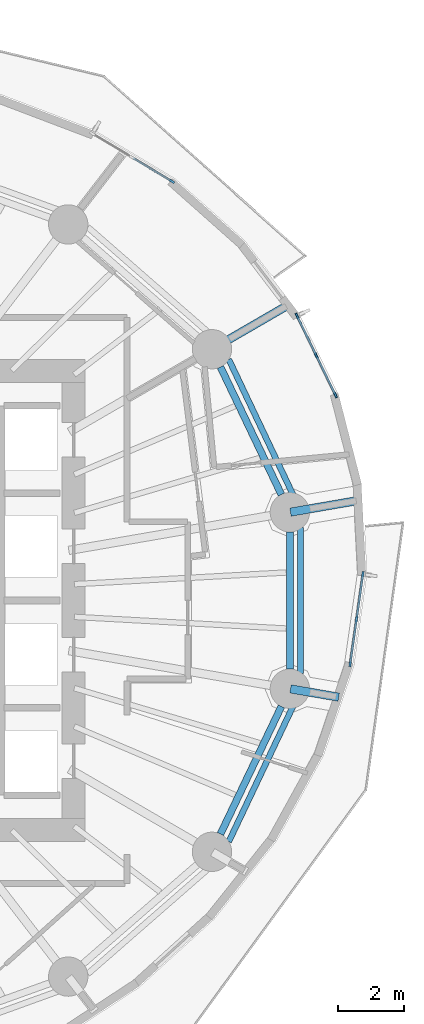
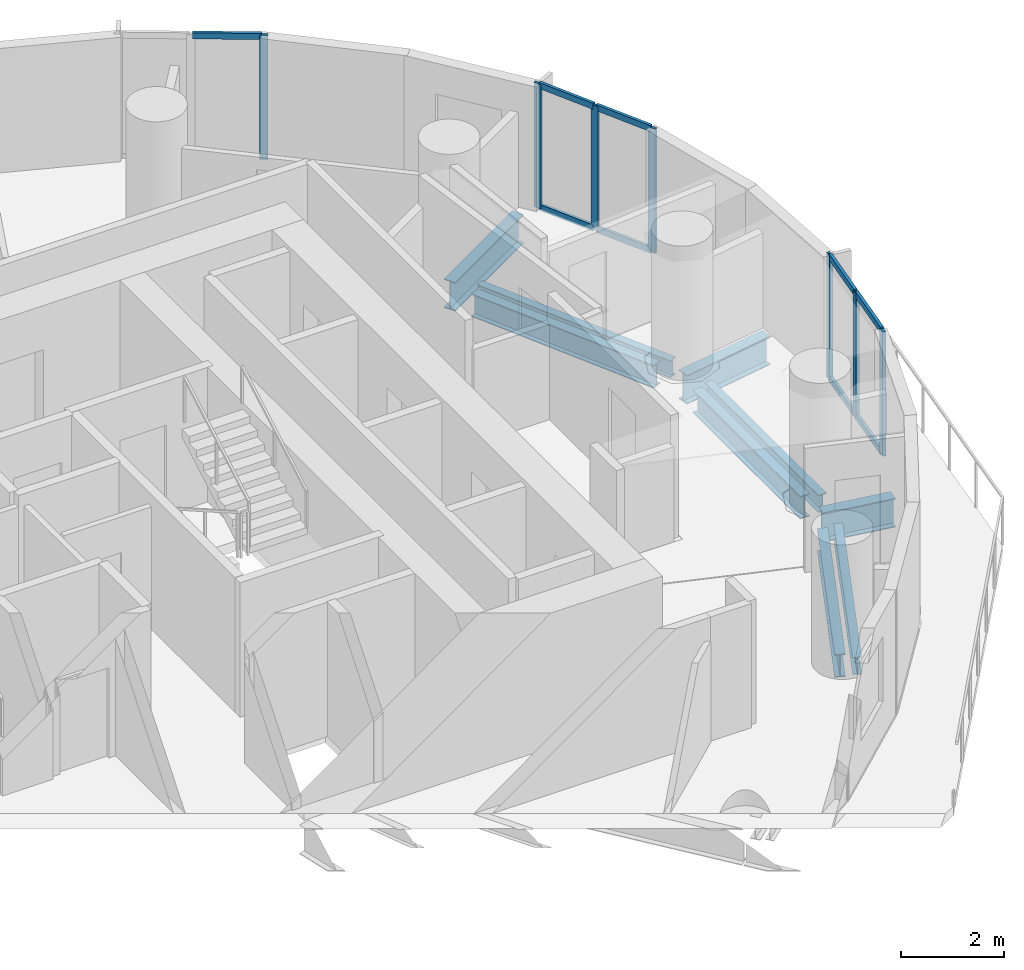
# One storey, part 5 of 14: 16 members, 9 beams, 3 elements without a shape of their own.
"""IFC4 building model written with IfcOpenShell, lengths in metres."""

from ifc_helpers import new_model, si_unit, direction, frame, origin, origin_2d, place, context, subcontext, project, spatial, rectangle, i_section, extrude, material, material_profile, profile_set, type_object, element, aggregate, save


model = new_model("IFC4")

# Units and contexts
model_context = context("Model", 3, precision=1e-05, world=origin(), true_north=direction((0.0, 1.0)))
body_context = subcontext(model_context, "Body", "Model", "MODEL_VIEW")
ifc_project = project(units=[si_unit("LENGTHUNIT", "METRE"), si_unit("AREAUNIT", "SQUARE_METRE"), si_unit("VOLUMEUNIT", "CUBIC_METRE"), si_unit("PLANEANGLEUNIT", "RADIAN"), si_unit("MASSUNIT", "GRAM", prefix="KILO")], contexts=[model_context])

# Site, building, storey
site_placement = place(None, origin())
site = spatial("IfcSite", under=ifc_project, at=site_placement, CompositionType="ELEMENT")
building_placement = place(site_placement, origin())
building = spatial("IfcBuilding", under=site, at=building_placement, Name="Veldorim Arch Residences", CompositionType="ELEMENT")
storey_placement = place(building_placement, frame((0.0, 0.0, 90.080078125)))
storey = spatial("IfcBuildingStorey", under=building, at=storey_placement, Name="L26", CompositionType="ELEMENT", Elevation=90.080078125)

# Beams
ifc_material_1 = material(Name="Steel S355", Category="steel")
ifc_material_profile_1 = material_profile(ifc_material_1, i_section(OverallWidth=0.2119140625, OverallDepth=0.54443359375, WebThickness=0.0126953125, FlangeThickness=0.021240234375, at=origin_2d()), Name="UB533x210x122")
ifc_profile_set_1 = profile_set([ifc_material_profile_1], Name="Steel S355")
beam_type_1 = type_object("IfcBeamType", Name="Structural Steel Beam UB533x210x122", PredefinedType="BEAM", material=ifc_profile_set_1)
for number, where, z_axis, x_axis, name in (
    (1, (47.336181640625, 27.233642578125, -0.51220703125), (-0.430720154476, 0.902485539235, 0.0), (-0.902485539235, -0.430720154476, 0.0), "L26 perimeter ring tie beam 01"),
    (2, (45.478759765625, 16.87451171875, -0.51220703125), (0.430720154476, 0.902485539235, 0.0), (-0.902485539235, 0.430720154476, 0.0), "L26 perimeter ring tie beam 15"),
):
    element("IfcBeam", number, at=place(storey_placement, frame(where, z_axis=z_axis, x_axis=x_axis)), inside=storey, type_object=beam_type_1, Name=name, PredefinedType="BEAM", context=body_context, shape_type="SweptSolid", body=[
        extrude(i_section(OverallWidth=0.2119140625, OverallDepth=0.54443359375, WebThickness=0.0126953125, FlangeThickness=0.021240234375, at=origin_2d()), origin(), (0.0, 0.0, 1.0), 4.312255859375),
    ])
beam_1_placement = place(storey_placement, frame((47.594482421875, 21.90771484375, -0.51220703125), z_axis=(0.0, 1.0, 0.0), x_axis=(-1.0, 0.0, 0.0)))
element("IfcBeam", 3, at=beam_1_placement, inside=storey, type_object=beam_type_1, Name="L26 perimeter ring tie beam 16", PredefinedType="BEAM", context=body_context, shape_type="SweptSolid", body=[
    extrude(i_section(OverallWidth=0.2119140625, OverallDepth=0.54443359375, WebThickness=0.0126953125, FlangeThickness=0.021240234375, at=origin_2d()), origin(), (0.0, 0.0, 1.0), 4.1845703125),
])
ifc_material_2 = material(Name="Steel S355", Category="steel")
ifc_material_profile_2 = material_profile(ifc_material_2, i_section(OverallWidth=0.25439453125, OverallDepth=0.6875, WebThickness=0.01318359375, FlangeThickness=0.02099609375, at=origin_2d()), Name="UB686x254x152")
ifc_profile_set_2 = profile_set([ifc_material_profile_2], Name="Steel S355")
beam_type_2 = type_object("IfcBeamType", Name="Structural Steel GIRDER UB686x254x152", PredefinedType="USERDEFINED", material=ifc_profile_set_2)
beam_2_placement = place(storey_placement, frame((47.6142578125, 26.695556640625, -0.583740234375), z_axis=(0.985423467948, 0.170119336988, 0.0), x_axis=(-0.170119336988, 0.985423467948, 0.0)))
element("IfcBeam", 4, at=beam_2_placement, inside=storey, type_object=beam_type_2, Name="L26 radial edge cantilever girder 01", ObjectType="GIRDER", PredefinedType="USERDEFINED", context=body_context, shape_type="SweptSolid", body=[
    extrude(i_section(OverallWidth=0.25439453125, OverallDepth=0.6875, WebThickness=0.01318359375, FlangeThickness=0.02099609375, at=origin_2d()), origin(), (0.0, 0.0, 1.0), 2.11669921875),
])
beam_3_placement = place(storey_placement, frame((45.23779296875, 31.677001953125, -0.583740234375), z_axis=(0.865063665573, 0.501662091956, 0.0), x_axis=(-0.501662091956, 0.865063665573, 0.0)))
element("IfcBeam", 5, at=beam_3_placement, inside=storey, type_object=beam_type_2, Name="L26 radial edge cantilever girder 02", ObjectType="GIRDER", PredefinedType="USERDEFINED", context=body_context, shape_type="SweptSolid", body=[
    extrude(i_section(OverallWidth=0.25439453125, OverallDepth=0.6875, WebThickness=0.01318359375, FlangeThickness=0.02099609375, at=origin_2d()), origin(), (0.0, 0.0, 1.0), 2.67529296875),
])
beam_4_placement = place(storey_placement, frame((47.6142578125, 21.304443359375, -0.583740234375), z_axis=(0.985432749293, -0.170065565652, 0.0), x_axis=(0.170065565652, 0.985432749293, 0.0)))
element("IfcBeam", 6, at=beam_4_placement, inside=storey, type_object=beam_type_2, Name="L26 radial edge cantilever girder 16", ObjectType="GIRDER", PredefinedType="USERDEFINED", context=body_context, shape_type="SweptSolid", body=[
    extrude(i_section(OverallWidth=0.25439453125, OverallDepth=0.6875, WebThickness=0.01318359375, FlangeThickness=0.02099609375, at=origin_2d()), origin(), (0.0, 0.0, 1.0), 1.494384765625),
])
ifc_material_3 = material(Name="Steel S355", Category="steel")
ifc_material_profile_3 = material_profile(ifc_material_3, i_section(OverallWidth=0.1787109375, OverallDepth=0.409423828125, WebThickness=0.0087890625, FlangeThickness=0.014404296875, at=origin_2d()), Name="UB406x178x67")
ifc_profile_set_3 = profile_set([ifc_material_profile_3], Name="Steel S355")
beam_type_3 = type_object("IfcBeamType", Name="Structural Steel Spandrel UB406x178x67", PredefinedType="SPANDREL", material=ifc_profile_set_3)
for number, where, z_axis, x_axis, name in (
    (7, (47.693115234375, 27.225341796875, -0.46484375), (-0.428857472204, 0.903372165021, 0.0), (-0.903372165021, -0.428857472204, 0.0), "L26 perimeter chord spandrel beam 01"),
    (8, (45.732421875, 16.64453125, -0.46484375), (0.428857472204, 0.903372165021, 0.0), (-0.903372165021, 0.428857472204, 0.0), "L26 perimeter chord spandrel beam 15"),
):
    element("IfcBeam", number, at=place(storey_placement, frame(where, z_axis=z_axis, x_axis=x_axis)), inside=storey, type_object=beam_type_3, Name=name, PredefinedType="SPANDREL", context=body_context, shape_type="SweptSolid", body=[
        extrude(i_section(OverallWidth=0.1787109375, OverallDepth=0.409423828125, WebThickness=0.0087890625, FlangeThickness=0.014404296875, at=origin_2d()), origin(), (0.0, 0.0, 1.0), 4.572021484375),
    ])
beam_5_placement = place(storey_placement, frame((47.919677734375, 21.77978515625, -0.46484375), z_axis=(0.0, 1.0, 0.0), x_axis=(-1.0, 0.0, 0.0)))
element("IfcBeam", 9, at=beam_5_placement, inside=storey, type_object=beam_type_3, Name="L26 perimeter chord spandrel beam 16", PredefinedType="SPANDREL", context=body_context, shape_type="SweptSolid", body=[
    extrude(i_section(OverallWidth=0.1787109375, OverallDepth=0.409423828125, WebThickness=0.0087890625, FlangeThickness=0.014404296875, at=origin_2d()), origin(), (0.0, 0.0, 1.0), 4.4404296875),
])

# Curtain wall, members
ifc_material_4 = material(Name="Aluminium", Category="aluminium")
curtain_wall_type = type_object("IfcCurtainWallType", Name="Zone 2 Solar-Control Unitised Curtain Wall", PredefinedType="NOTDEFINED", material=ifc_material_4)
curtain_wall_1_placement = place(storey_placement, origin())
curtain_wall_1 = element("IfcCurtainWall", 10, at=curtain_wall_1_placement, inside=storey, type_object=curtain_wall_type, Name="L26 unitised curtain wall bay 01", PredefinedType="NOTDEFINED")
ifc_material_5 = material(Name="Aluminium", Category="aluminium")
ifc_material_profile_4 = material_profile(ifc_material_5, rectangle(XDim=0.06494140625, YDim=0.1650390625, at=origin_2d()), Name="ALU_MUL_65x165")
ifc_profile_set_4 = profile_set([ifc_material_profile_4], Name="Aluminium")
member_type_1 = type_object("IfcMemberType", Name="Zone 2 Solar-Control Unitised Curtain Wall Mullion 65x165", PredefinedType="MULLION", material=ifc_profile_set_4)
member_1_placement = place(storey_placement, frame((47.81298828125, 32.684326171875, 0.0), z_axis=(0.0, 0.0, 1.0), x_axis=(0.89943933332, 0.437045633403, 0.0)))
member_1 = element("IfcMember", 11, at=member_1_placement, type_object=member_type_1, Name="CW-Z2 mullion 1", PredefinedType="MULLION", context=body_context, shape_type="SweptSolid", body=[
    extrude(rectangle(XDim=0.06494140625, YDim=0.1650390625, at=origin_2d()), origin(), (0.0, 0.0, 1.0), 2.9599609375),
])
member_2_placement = place(storey_placement, frame((48.401611328125, 31.473388671875, 0.0), z_axis=(0.0, 0.0, 1.0), x_axis=(0.89943933332, 0.437045633403, 0.0)))
member_2 = element("IfcMember", 12, at=member_2_placement, type_object=member_type_1, Name="CW-Z2 mullion 2", PredefinedType="MULLION", context=body_context, shape_type="SweptSolid", body=[
    extrude(rectangle(XDim=0.06494140625, YDim=0.1650390625, at=origin_2d()), origin(), (0.0, 0.0, 1.0), 2.9599609375),
])
member_3_placement = place(storey_placement, frame((48.989990234375, 30.262451171875, 0.0), z_axis=(0.0, 0.0, 1.0), x_axis=(0.89943933332, 0.437045633403, 0.0)))
member_3 = element("IfcMember", 13, at=member_3_placement, type_object=member_type_1, Name="CW-Z2 mullion 3", PredefinedType="MULLION", context=body_context, shape_type="SweptSolid", body=[
    extrude(rectangle(XDim=0.06494140625, YDim=0.1650390625, at=origin_2d()), origin(), (0.0, 0.0, 1.0), 2.9599609375),
])

# Curtain wall, member
curtain_wall_2_placement = place(storey_placement, origin())
curtain_wall_2 = element("IfcCurtainWall", 14, at=curtain_wall_2_placement, inside=storey, type_object=curtain_wall_type, Name="L26 unitised curtain wall bay 04", PredefinedType="NOTDEFINED")
member_4_placement = place(storey_placement, frame((43.9990234375, 36.78759765625, 0.0), z_axis=(0.0, 0.0, 1.0), x_axis=(0.514313089023, 0.857602499098, 0.0)))
member_4 = element("IfcMember", 15, at=member_4_placement, type_object=member_type_1, Name="CW-Z2 mullion 3", PredefinedType="MULLION", context=body_context, shape_type="SweptSolid", body=[
    extrude(rectangle(XDim=0.06494140625, YDim=0.1650390625, at=origin_2d()), origin(), (0.0, 0.0, 1.0), 2.9599609375),
])

# Curtain wall, members
curtain_wall_3_placement = place(storey_placement, origin())
curtain_wall_3 = element("IfcCurtainWall", 16, at=curtain_wall_3_placement, inside=storey, type_object=curtain_wall_type, Name="L26 unitised curtain wall bay 34", PredefinedType="NOTDEFINED")
member_5_placement = place(storey_placement, frame((49.8232421875, 24.802001953125, 0.0), z_axis=(0.0, 0.0, 1.0), x_axis=(0.990070536302, -0.140571452105, 0.0)))
member_5 = element("IfcMember", 17, at=member_5_placement, type_object=member_type_1, Name="CW-Z2 mullion 1", PredefinedType="MULLION", context=body_context, shape_type="SweptSolid", body=[
    extrude(rectangle(XDim=0.06494140625, YDim=0.1650390625, at=origin_2d()), origin(), (0.0, 0.0, 1.0), 2.9599609375),
])
member_6_placement = place(storey_placement, frame((49.628662109375, 23.431396484375, 0.0), z_axis=(0.0, 0.0, 1.0), x_axis=(0.990070536302, -0.140571452105, 0.0)))
member_6 = element("IfcMember", 18, at=member_6_placement, type_object=member_type_1, Name="CW-Z2 mullion 2", PredefinedType="MULLION", context=body_context, shape_type="SweptSolid", body=[
    extrude(rectangle(XDim=0.06494140625, YDim=0.1650390625, at=origin_2d()), origin(), (0.0, 0.0, 1.0), 2.9599609375),
])
member_7_placement = place(storey_placement, frame((49.43408203125, 22.06103515625, 0.0), z_axis=(0.0, 0.0, 1.0), x_axis=(0.990070536302, -0.140571452105, 0.0)))
member_7 = element("IfcMember", 19, at=member_7_placement, type_object=member_type_1, Name="CW-Z2 mullion 3", PredefinedType="MULLION", context=body_context, shape_type="SweptSolid", body=[
    extrude(rectangle(XDim=0.06494140625, YDim=0.1650390625, at=origin_2d()), origin(), (0.0, 0.0, 1.0), 2.9599609375),
])

# Member
ifc_material_6 = material(Name="Aluminium", Category="aluminium")
ifc_material_profile_5 = material_profile(ifc_material_6, rectangle(XDim=0.06494140625, YDim=0.14501953125, at=origin_2d()), Name="ALU_TRN_65x145")
ifc_profile_set_5 = profile_set([ifc_material_profile_5], Name="Aluminium")
member_type_2 = type_object("IfcMemberType", Name="Zone 2 Solar-Control Unitised Curtain Wall Transom 65x145", PredefinedType="USERDEFINED", material=ifc_profile_set_5)
member_8_placement = place(storey_placement, frame((47.827392578125, 32.655029296875, 0.032470703125), z_axis=(0.436970043232, -0.899476059335, 0.0), x_axis=(0.899476059335, 0.436970043232, 0.0)))
member_8 = element("IfcMember", 20, at=member_8_placement, type_object=member_type_2, Name="CW-Z2 transom 1.1", ObjectType="TRANSOM", PredefinedType="USERDEFINED", context=body_context, shape_type="SweptSolid", body=[
    extrude(rectangle(XDim=0.06494140625, YDim=0.14501953125, at=origin_2d()), origin(), (0.0, 0.0, 1.0), 1.281005859375),
])

member_9_placement = place(storey_placement, frame((47.827392578125, 32.655029296875, 2.927490234375), z_axis=(0.436970043232, -0.899476059335, 0.0), x_axis=(0.899476059335, 0.436970043232, 0.0)))
member_9 = element("IfcMember", 21, at=member_9_placement, type_object=member_type_2, Name="CW-Z2 transom 1.2", ObjectType="TRANSOM", PredefinedType="USERDEFINED", context=body_context, shape_type="SweptSolid", body=[
    extrude(rectangle(XDim=0.06494140625, YDim=0.14501953125, at=origin_2d()), origin(), (0.0, 0.0, 1.0), 1.281005859375),
])

member_10_placement = place(storey_placement, frame((48.415771484375, 31.444091796875, 0.032470703125), z_axis=(0.436970043232, -0.899476059335, 0.0), x_axis=(0.899476059335, 0.436970043232, 0.0)))
member_10 = element("IfcMember", 22, at=member_10_placement, type_object=member_type_2, Name="CW-Z2 transom 2.1", ObjectType="TRANSOM", PredefinedType="USERDEFINED", context=body_context, shape_type="SweptSolid", body=[
    extrude(rectangle(XDim=0.06494140625, YDim=0.14501953125, at=origin_2d()), origin(), (0.0, 0.0, 1.0), 1.281005859375),
])

member_11_placement = place(storey_placement, frame((48.415771484375, 31.444091796875, 2.927490234375), z_axis=(0.436970043232, -0.899476059335, 0.0), x_axis=(0.899476059335, 0.436970043232, 0.0)))
member_11 = element("IfcMember", 23, at=member_11_placement, type_object=member_type_2, Name="CW-Z2 transom 2.2", ObjectType="TRANSOM", PredefinedType="USERDEFINED", context=body_context, shape_type="SweptSolid", body=[
    extrude(rectangle(XDim=0.06494140625, YDim=0.14501953125, at=origin_2d()), origin(), (0.0, 0.0, 1.0), 1.281005859375),
])

aggregate(curtain_wall_1, [member_1, member_2, member_3, member_8, member_9, member_10, member_11])

member_12_placement = place(storey_placement, frame((42.81201171875, 37.49951171875, 2.927490234375), z_axis=(0.857636334709, -0.514256664894, 0.0), x_axis=(0.514256664894, 0.857636334709, 0.0)))
member_12 = element("IfcMember", 24, at=member_12_placement, type_object=member_type_2, Name="CW-Z2 transom 2.2", ObjectType="TRANSOM", PredefinedType="USERDEFINED", context=body_context, shape_type="SweptSolid", body=[
    extrude(rectangle(XDim=0.06494140625, YDim=0.14501953125, at=origin_2d()), origin(), (0.0, 0.0, 1.0), 1.3515625),
])

aggregate(curtain_wall_2, [member_4, member_12])

member_13_placement = place(storey_placement, frame((49.81884765625, 24.769775390625, 0.032470703125), z_axis=(-0.140644069109, -0.990060223332, 0.0), x_axis=(0.990060223332, -0.140644069109, 0.0)))
member_13 = element("IfcMember", 25, at=member_13_placement, type_object=member_type_2, Name="CW-Z2 transom 1.1", ObjectType="TRANSOM", PredefinedType="USERDEFINED", context=body_context, shape_type="SweptSolid", body=[
    extrude(rectangle(XDim=0.06494140625, YDim=0.14501953125, at=origin_2d()), origin(), (0.0, 0.0, 1.0), 1.3193359375),
])

member_14_placement = place(storey_placement, frame((49.81884765625, 24.769775390625, 2.927490234375), z_axis=(-0.140644069109, -0.990060223332, 0.0), x_axis=(0.990060223332, -0.140644069109, 0.0)))
member_14 = element("IfcMember", 26, at=member_14_placement, type_object=member_type_2, Name="CW-Z2 transom 1.2", ObjectType="TRANSOM", PredefinedType="USERDEFINED", context=body_context, shape_type="SweptSolid", body=[
    extrude(rectangle(XDim=0.06494140625, YDim=0.14501953125, at=origin_2d()), origin(), (0.0, 0.0, 1.0), 1.3193359375),
])

member_15_placement = place(storey_placement, frame((49.624267578125, 23.399169921875, 0.032470703125), z_axis=(-0.140669842386, -0.990056561739, 0.0), x_axis=(0.990056561739, -0.140669842386, 0.0)))
member_15 = element("IfcMember", 27, at=member_15_placement, type_object=member_type_2, Name="CW-Z2 transom 2.1", ObjectType="TRANSOM", PredefinedType="USERDEFINED", context=body_context, shape_type="SweptSolid", body=[
    extrude(rectangle(XDim=0.06494140625, YDim=0.14501953125, at=origin_2d()), origin(), (0.0, 0.0, 1.0), 1.319091796875),
])

member_16_placement = place(storey_placement, frame((49.624267578125, 23.399169921875, 2.927490234375), z_axis=(-0.140669842386, -0.990056561739, 0.0), x_axis=(0.990056561739, -0.140669842386, 0.0)))
member_16 = element("IfcMember", 28, at=member_16_placement, type_object=member_type_2, Name="CW-Z2 transom 2.2", ObjectType="TRANSOM", PredefinedType="USERDEFINED", context=body_context, shape_type="SweptSolid", body=[
    extrude(rectangle(XDim=0.06494140625, YDim=0.14501953125, at=origin_2d()), origin(), (0.0, 0.0, 1.0), 1.319091796875),
])

aggregate(curtain_wall_3, [member_5, member_6, member_7, member_13, member_14, member_15, member_16])

save(model, "model.ifc")
